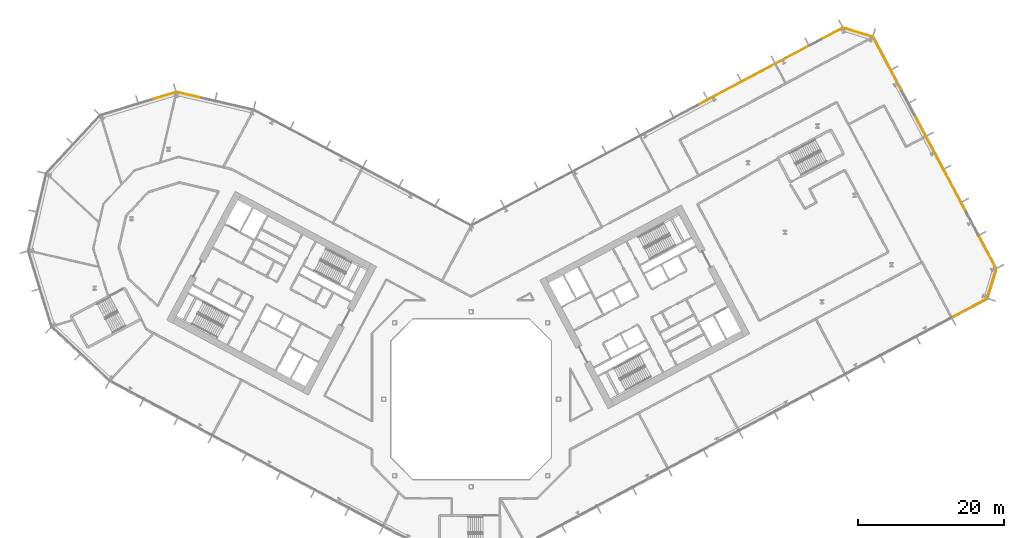
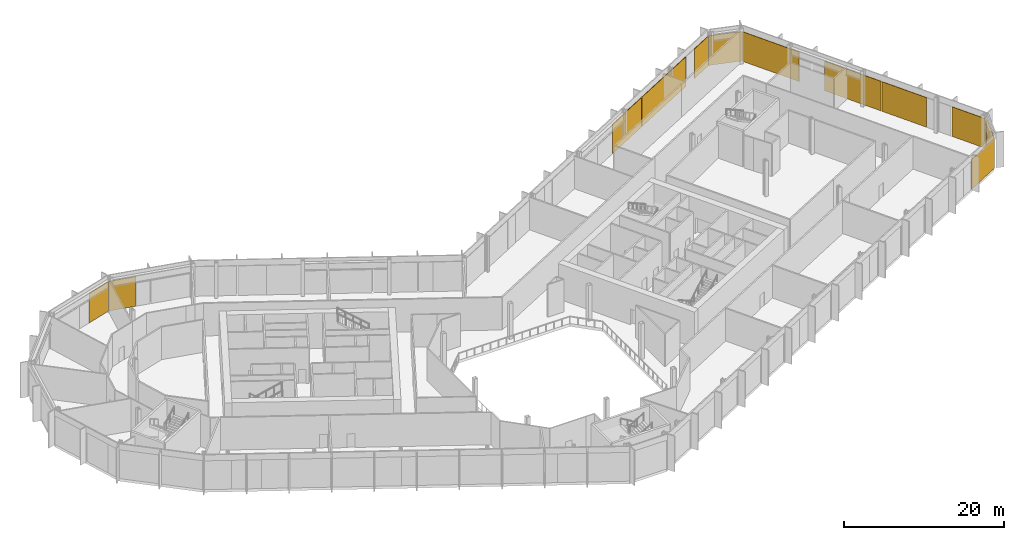
# One storey, part 30 of 30: 12 coverings, 7 elements without a shape of their own.
"""IFC4 building model written with IfcOpenShell, lengths in metres."""

from ifc_helpers import new_model, si_unit, direction, frame, origin, origin_2d, place, context, subcontext, project, spatial, rectangle, extrude, material, layer, layer_set, type_object, element, aggregate, save


model = new_model("IFC4")

# Units and contexts
model_context = context("Model", 3, precision=1e-05, world=origin(), true_north=direction((0.0, 1.0)))
body_context = subcontext(model_context, "Body", "Model", "MODEL_VIEW")
ifc_project = project(units=[si_unit("LENGTHUNIT", "METRE"), si_unit("AREAUNIT", "SQUARE_METRE"), si_unit("VOLUMEUNIT", "CUBIC_METRE"), si_unit("PLANEANGLEUNIT", "RADIAN"), si_unit("MASSUNIT", "GRAM", prefix="KILO")], contexts=[model_context])

# Site, building, storey
site_placement = place(None, origin())
site = spatial("IfcSite", under=ifc_project, at=site_placement, CompositionType="ELEMENT")
building_placement = place(site_placement, origin())
building = spatial("IfcBuilding", under=site, at=building_placement, Name="Cormorant Relay Tower", CompositionType="ELEMENT")
storey_placement = place(building_placement, frame((0.0, 0.0, 44.60009765625)))
storey = spatial("IfcBuildingStorey", under=building, at=storey_placement, Name="L08", CompositionType="ELEMENT", Elevation=44.60009765625)

# Curtain wall, covering
ifc_material_1 = material(Name="Aluminium 6063-T6 anodised bronze", Category="aluminium")
ifc_layer_1 = layer(ifc_material_1, 0.235107421875)
ifc_layer_set_1 = layer_set([ifc_layer_1], Name="CW6 data hall curtain wall with mineral wool panels")
curtain_wall_type = type_object("IfcCurtainWallType", Name="CW6 data hall curtain wall with mineral wool panels", PredefinedType="NOTDEFINED", material=ifc_layer_set_1)
curtain_wall_1_placement = place(storey_placement, origin())
curtain_wall_1 = element("IfcCurtainWall", 1, at=curtain_wall_1_placement, inside=storey, type_object=curtain_wall_type, Name="CW6 curtain wall 2", PredefinedType="NOTDEFINED")
ifc_material_2 = material(Name="Mineral wool cored anodised bronze aluminium cassette panel", Category="aluminium")
ifc_layer_2 = layer(ifc_material_2, 0.074951171875)
ifc_layer_set_2 = layer_set([ifc_layer_2], Name="CW6 mineral wool cassette panel 75")
covering_type = type_object("IfcCoveringType", Name="CW6 mineral wool cassette panel 75", PredefinedType="CLADDING", material=ifc_layer_set_2)
covering_1_placement = place(storey_placement, frame((68.399658203125, 12.542236328125, 0.0), z_axis=(0.0, 0.0, 1.0), x_axis=(0.882947592859, 0.469471562786, 0.0)))
covering_1 = element("IfcCovering", 2, at=covering_1_placement, type_object=covering_type, Name="CW6 panel S13", PredefinedType="CLADDING", context=body_context, shape_type="SweptSolid", body=[
    extrude(rectangle(XDim=5.436767578125, YDim=0.074951171875, at=origin_2d()), origin(), (0.0, 0.0, 1.0), 4.5),
])
aggregate(curtain_wall_1, [covering_1])

curtain_wall_2_placement = place(storey_placement, origin())
curtain_wall_2 = element("IfcCurtainWall", 3, at=curtain_wall_2_placement, inside=storey, type_object=curtain_wall_type, Name="CW6 curtain wall 3", PredefinedType="NOTDEFINED")
covering_2_placement = place(storey_placement, frame((71.44921875, 15.9052734375, 0.0), z_axis=(0.0, 0.0, 1.0), x_axis=(0.292371704723, 0.956304755963, 0.0)))
covering_2 = element("IfcCovering", 4, at=covering_2_placement, type_object=covering_type, Name="CW6 panel S00", PredefinedType="CLADDING", context=body_context, shape_type="SweptSolid", body=[
    extrude(rectangle(XDim=4.16748046875, YDim=0.074951171875, at=origin_2d()), origin(), (0.0, 0.0, 1.0), 4.5),
])
aggregate(curtain_wall_2, [covering_2])

# Curtain wall, coverings
curtain_wall_3_placement = place(storey_placement, origin())
curtain_wall_3 = element("IfcCurtainWall", 5, at=curtain_wall_3_placement, inside=storey, type_object=curtain_wall_type, Name="CW6 curtain wall 4", PredefinedType="NOTDEFINED")
covering_3_placement = place(storey_placement, frame((70.8486328125, 20.197021484375, 0.0), z_axis=(0.0, 0.0, 1.0), x_axis=(-0.469471562786, 0.882947592859, 0.0)))
covering_3 = element("IfcCovering", 6, at=covering_3_placement, type_object=covering_type, Name="CW6 panel S00", PredefinedType="CLADDING", context=body_context, shape_type="SweptSolid", body=[
    extrude(rectangle(XDim=4.992919921875, YDim=0.074951171875, at=origin_2d()), origin(), (0.0, 0.0, 1.0), 4.5),
])
covering_4_placement = place(storey_placement, frame((66.3818359375, 28.59765625, 0.0), z_axis=(0.0, 0.0, 1.0), x_axis=(-0.469471562786, 0.882947592859, 0.0)))
covering_4 = element("IfcCovering", 7, at=covering_4_placement, type_object=covering_type, Name="CW6 panel S02", PredefinedType="CLADDING", context=body_context, shape_type="SweptSolid", body=[
    extrude(rectangle(XDim=6.53564453125, YDim=0.074951171875, at=origin_2d()), origin(), (0.0, 0.0, 1.0), 4.5),
])
covering_5_placement = place(storey_placement, frame((62.820556640625, 35.29541015625, 0.0), z_axis=(0.0, 0.0, 1.0), x_axis=(-0.469471562786, 0.882947592859, 0.0)))
covering_5 = element("IfcCovering", 8, at=covering_5_placement, type_object=covering_type, Name="CW6 panel S03", PredefinedType="CLADDING", context=body_context, shape_type="SweptSolid", body=[
    extrude(rectangle(XDim=8.335693359375, YDim=0.074951171875, at=origin_2d()), origin(), (0.0, 0.0, 1.0), 4.5),
])
covering_6_placement = place(storey_placement, frame((57.129150390625, 45.99951171875, 0.0), z_axis=(0.0, 0.0, 1.0), x_axis=(-0.469471562786, 0.882947592859, 0.0)))
covering_6 = element("IfcCovering", 9, at=covering_6_placement, type_object=covering_type, Name="CW6 panel S06", PredefinedType="CLADDING", context=body_context, shape_type="SweptSolid", body=[
    extrude(rectangle(XDim=8.41064453125, YDim=0.074951171875, at=origin_2d()), origin(), (0.0, 0.0, 1.0), 4.5),
])
aggregate(curtain_wall_3, [covering_3, covering_4, covering_5, covering_6])

# Curtain wall, covering
curtain_wall_4_placement = place(storey_placement, origin())
curtain_wall_4 = element("IfcCurtainWall", 10, at=curtain_wall_4_placement, inside=storey, type_object=curtain_wall_type, Name="CW6 curtain wall 5", PredefinedType="NOTDEFINED")
covering_7_placement = place(storey_placement, frame((53.068115234375, 50.362060546875, 0.0), z_axis=(0.0, 0.0, 1.0), x_axis=(-0.956304755963, 0.292371704723, 0.0)))
covering_7 = element("IfcCovering", 11, at=covering_7_placement, type_object=covering_type, Name="CW6 panel S00", PredefinedType="CLADDING", context=body_context, shape_type="SweptSolid", body=[
    extrude(rectangle(XDim=4.16748046875, YDim=0.074951171875, at=origin_2d()), origin(), (0.0, 0.0, 1.0), 4.5),
])
aggregate(curtain_wall_4, [covering_7])

# Curtain wall, coverings
curtain_wall_5_placement = place(storey_placement, origin())
curtain_wall_5 = element("IfcCurtainWall", 12, at=curtain_wall_5_placement, inside=storey, type_object=curtain_wall_type, Name="CW6 curtain wall 6", PredefinedType="NOTDEFINED")
covering_8_placement = place(storey_placement, frame((49.5205078125, 50.156982421875, 0.0), z_axis=(0.0, 0.0, 1.0), x_axis=(-0.882947592859, -0.469471562786, 0.0)))
covering_8 = element("IfcCovering", 13, at=covering_8_placement, type_object=covering_type, Name="CW6 panel S00", PredefinedType="CLADDING", context=body_context, shape_type="SweptSolid", body=[
    extrude(rectangle(XDim=3.3076171875, YDim=0.074951171875, at=origin_2d()), origin(), (0.0, 0.0, 1.0), 4.5),
])
covering_9_placement = place(storey_placement, frame((41.762451171875, 46.031982421875, 0.0), z_axis=(0.0, 0.0, 1.0), x_axis=(-0.882947592859, -0.469471562786, 0.0)))
covering_9 = element("IfcCovering", 14, at=covering_9_placement, type_object=covering_type, Name="CW6 panel S02", PredefinedType="CLADDING", context=body_context, shape_type="SweptSolid", body=[
    extrude(rectangle(XDim=10.365234375, YDim=0.074951171875, at=origin_2d()), origin(), (0.0, 0.0, 1.0), 4.5),
])
covering_10_placement = place(storey_placement, frame((34.0673828125, 41.940185546875, 0.0), z_axis=(0.0, 0.0, 1.0), x_axis=(-0.882947592859, -0.469471562786, 0.0)))
covering_10 = element("IfcCovering", 15, at=covering_10_placement, type_object=covering_type, Name="CW6 panel S03", PredefinedType="CLADDING", context=body_context, shape_type="SweptSolid", body=[
    extrude(rectangle(XDim=6.765380859375, YDim=0.074951171875, at=origin_2d()), origin(), (0.0, 0.0, 1.0), 4.5),
])
aggregate(curtain_wall_5, [covering_8, covering_9, covering_10])

# Curtain wall, covering
curtain_wall_6_placement = place(storey_placement, origin())
curtain_wall_6 = element("IfcCurtainWall", 16, at=curtain_wall_6_placement, inside=storey, type_object=curtain_wall_type, Name="CW6 curtain wall 8", PredefinedType="NOTDEFINED")
covering_11_placement = place(storey_placement, frame((-38.72265625, 41.74951171875, 0.0), z_axis=(0.0, 0.0, 1.0), x_axis=(-0.974370064785, 0.224951054344, 0.0)))
covering_11 = element("IfcCovering", 17, at=covering_11_placement, type_object=covering_type, Name="CW6 panel S02", PredefinedType="CLADDING", context=body_context, shape_type="SweptSolid", body=[
    extrude(rectangle(XDim=3.560302734375, YDim=0.074951171875, at=origin_2d()), origin(), (0.0, 0.0, 1.0), 4.5),
])
aggregate(curtain_wall_6, [covering_11])

curtain_wall_7_placement = place(storey_placement, origin())
curtain_wall_7 = element("IfcCurtainWall", 18, at=curtain_wall_7_placement, inside=storey, type_object=curtain_wall_type, Name="CW6 curtain wall 9", PredefinedType="NOTDEFINED")
covering_12_placement = place(storey_placement, frame((-42.214599609375, 41.617919921875, 0.0), z_axis=(0.0, 0.0, 1.0), x_axis=(-0.956304755963, -0.292371704723, 0.0)))
covering_12 = element("IfcCovering", 19, at=covering_12_placement, type_object=covering_type, Name="CW6 panel S00", PredefinedType="CLADDING", context=body_context, shape_type="SweptSolid", body=[
    extrude(rectangle(XDim=3.485107421875, YDim=0.074951171875, at=origin_2d()), origin(), (0.0, 0.0, 1.0), 4.5),
])
aggregate(curtain_wall_7, [covering_12])

save(model, "model.ifc")
